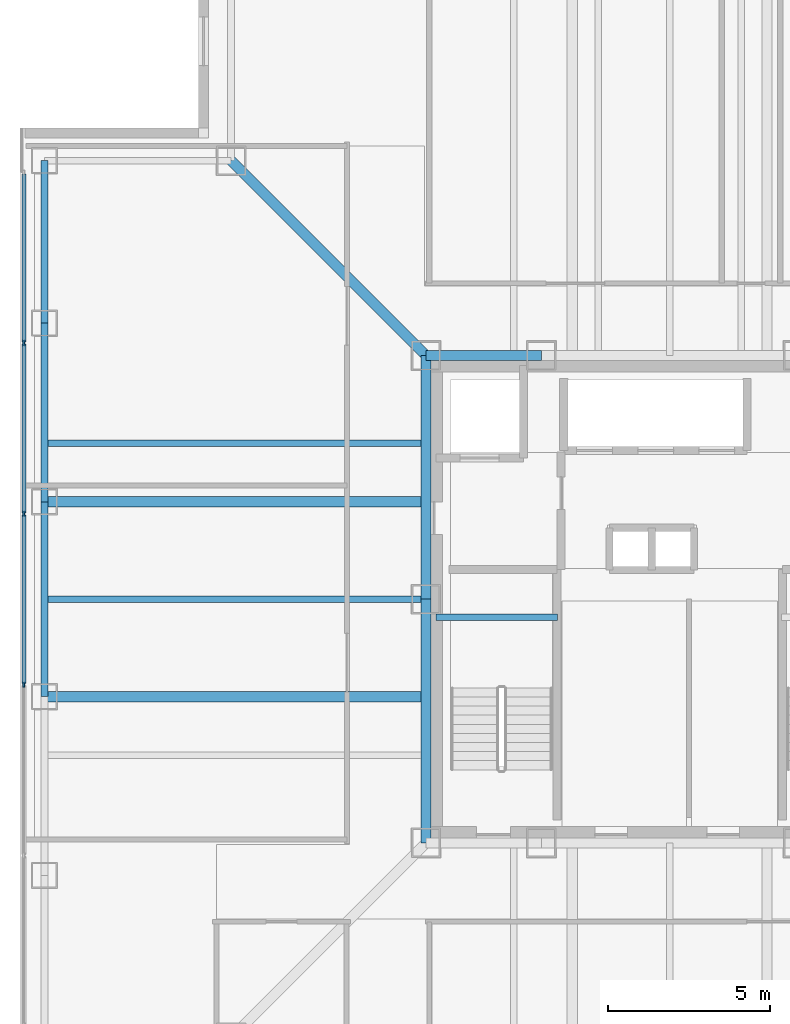
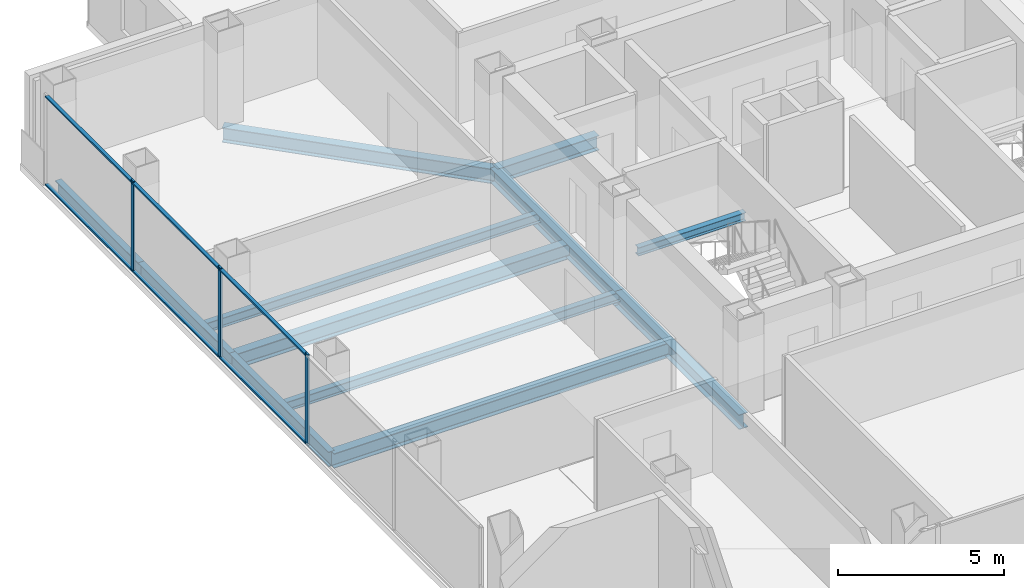
# One storey, part 4 of 17: 12 beams, 9 members, 1 element without a shape of its own.
"""IFC4 building model written with IfcOpenShell, lengths in metres."""

from ifc_helpers import new_model, si_unit, direction, frame, origin, origin_2d, place, context, subcontext, project, spatial, rectangle, i_section, extrude, material, layer, layer_set, material_profile, profile_set, type_object, element, aggregate, save


model = new_model("IFC4")

# Units and contexts
model_context = context("Model", 3, precision=1e-05, world=origin(), true_north=direction((0.0, 1.0)))
body_context = subcontext(model_context, "Body", "Model", "MODEL_VIEW")
ifc_project = project(units=[si_unit("LENGTHUNIT", "METRE"), si_unit("AREAUNIT", "SQUARE_METRE"), si_unit("VOLUMEUNIT", "CUBIC_METRE"), si_unit("PLANEANGLEUNIT", "RADIAN"), si_unit("MASSUNIT", "GRAM", prefix="KILO")], contexts=[model_context])

# Site, building, storey
site_placement = place(None, origin())
site = spatial("IfcSite", under=ifc_project, at=site_placement, CompositionType="ELEMENT")
building_placement = place(site_placement, origin())
building = spatial("IfcBuilding", under=site, at=building_placement, Name="Trevonay Congress Spire", CompositionType="ELEMENT")
storey_placement = place(building_placement, frame((0.0, 0.0, 187.800048828125)))
storey = spatial("IfcBuildingStorey", under=building, at=storey_placement, Name="L48", CompositionType="ELEMENT", Elevation=187.800048828125)

# Beams
ifc_material_1 = material(Name="Steel ASTM A572 Grade 50", Category="steel")
ifc_material_profile_1 = material_profile(ifc_material_1, i_section(OverallWidth=0.31201171875, OverallDepth=0.54296875, WebThickness=0.0126953125, FlangeThickness=0.020263671875, FilletRadius=0.014892578125, at=origin_2d()), Name="W530x150")
ifc_profile_set_1 = profile_set([ifc_material_profile_1], Name="Steel ASTM A572 Grade 50")
beam_type_1 = type_object("IfcBeamType", Name="BM-GIRD-W530X150", PredefinedType="BEAM", material=ifc_profile_set_1)
beam_1_placement = place(storey_placement, frame((-7.5, 7.5, -0.511474609375), z_axis=(1.0, 0.0, 0.0), x_axis=(0.0, 1.0, 0.0)))
element("IfcBeam", 1, at=beam_1_placement, inside=storey, type_object=beam_type_1, Name="L48 structural beam BM-L48-CR-N1", PredefinedType="BEAM", context=body_context, shape_type="SweptSolid", body=[
    extrude(i_section(OverallWidth=0.31201171875, OverallDepth=0.54296875, WebThickness=0.0126953125, FlangeThickness=0.020263671875, FilletRadius=0.014892578125, at=origin_2d()), origin(), (0.0, 0.0, 1.0), 3.550048828125),
])
for number, where, z_axis, x_axis, name in (
    (2, (-7.5, -7.5, -0.511474609375), (0.0, 1.0, 0.0), (-1.0, 0.0, 0.0), "L48 structural beam BM-L48-CR-W1"),
    (3, (-7.5, 0.0, -0.511474609375), (0.0, 1.0, 0.0), (-1.0, 0.0, 0.0), "L48 structural beam BM-L48-CR-W2"),
):
    element("IfcBeam", number, at=place(storey_placement, frame(where, z_axis=z_axis, x_axis=x_axis)), inside=storey, type_object=beam_type_1, Name=name, PredefinedType="BEAM", context=body_context, shape_type="SweptSolid", body=[
        extrude(i_section(OverallWidth=0.31201171875, OverallDepth=0.54296875, WebThickness=0.0126953125, FlangeThickness=0.020263671875, FilletRadius=0.014892578125, at=origin_2d()), origin(), (0.0, 0.0, 1.0), 7.5),
    ])
beam_2_placement = place(storey_placement, frame((-7.5, 7.5, -0.511474609375), z_axis=(-0.707106781187, 0.707106781187, 0.0), x_axis=(-0.707106781187, -0.707106781187, 0.0)))
element("IfcBeam", 4, at=beam_2_placement, inside=storey, type_object=beam_type_1, Name="L48 structural beam BM-L48-CDNW", PredefinedType="BEAM", context=body_context, shape_type="SweptSolid", body=[
    extrude(i_section(OverallWidth=0.31201171875, OverallDepth=0.54296875, WebThickness=0.0126953125, FlangeThickness=0.020263671875, FilletRadius=0.014892578125, at=origin_2d()), origin(), (0.0, 0.0, 1.0), 8.4853515625),
])
for number, where, z_axis, x_axis, name in (
    (5, (-7.5, -3.0, -0.511474609375), (-1.0, 0.0, 0.0), (0.0, -1.0, 0.0), "L48 structural beam BM-L48-GW-M"),
    (6, (-7.5, 3.0, -0.511474609375), (-1.0, 0.0, 0.0), (0.0, -1.0, 0.0), "L48 structural beam BM-L48-GW-P"),
):
    element("IfcBeam", number, at=place(storey_placement, frame(where, z_axis=z_axis, x_axis=x_axis)), inside=storey, type_object=beam_type_1, Name=name, PredefinedType="BEAM", context=body_context, shape_type="SweptSolid", body=[
        extrude(i_section(OverallWidth=0.31201171875, OverallDepth=0.54296875, WebThickness=0.0126953125, FlangeThickness=0.020263671875, FilletRadius=0.014892578125, at=origin_2d()), origin(), (0.0, 0.0, 1.0), 11.75),
    ])
ifc_material_profile_2 = material_profile(ifc_material_1, i_section(OverallWidth=0.2119140625, OverallDepth=0.5439453125, WebThickness=0.01318359375, FlangeThickness=0.021240234375, FilletRadius=0.014892578125, at=origin_2d()), Name="W530x123")
ifc_profile_set_2 = profile_set([ifc_material_profile_2], Name="Steel ASTM A572 Grade 50")
beam_type_2 = type_object("IfcBeamType", Name="BM-RING-W530X123", PredefinedType="BEAM", material=ifc_profile_set_2)
beam_3_placement = place(storey_placement, frame((-19.25, -3.0, -0.511962890625), z_axis=(0.0, 1.0, 0.0), x_axis=(-1.0, 0.0, 0.0)))
element("IfcBeam", 7, at=beam_3_placement, inside=storey, type_object=beam_type_2, Name="L48 structural beam BM-L48-PW3", PredefinedType="BEAM", context=body_context, shape_type="SweptSolid", body=[
    extrude(i_section(OverallWidth=0.2119140625, OverallDepth=0.5439453125, WebThickness=0.01318359375, FlangeThickness=0.021240234375, FilletRadius=0.014892578125, at=origin_2d()), origin(), (0.0, 0.0, 1.0), 6.0),
])
beam_4_placement = place(storey_placement, frame((-19.25, 3.0, -0.511962890625), z_axis=(0.0, 1.0, 0.0), x_axis=(-1.0, 0.0, 0.0)))
element("IfcBeam", 8, at=beam_4_placement, inside=storey, type_object=beam_type_2, Name="L48 structural beam BM-L48-PW4", PredefinedType="BEAM", context=body_context, shape_type="SweptSolid", body=[
    extrude(i_section(OverallWidth=0.2119140625, OverallDepth=0.5439453125, WebThickness=0.01318359375, FlangeThickness=0.021240234375, FilletRadius=0.014892578125, at=origin_2d()), origin(), (0.0, 0.0, 1.0), 5.5),
])
beam_5_placement = place(storey_placement, frame((-19.25, 8.5, -0.511962890625), z_axis=(0.0, 1.0, 0.0), x_axis=(-1.0, 0.0, 0.0)))
element("IfcBeam", 9, at=beam_5_placement, inside=storey, type_object=beam_type_2, Name="L48 structural beam BM-L48-PW5", PredefinedType="BEAM", context=body_context, shape_type="SweptSolid", body=[
    extrude(i_section(OverallWidth=0.2119140625, OverallDepth=0.5439453125, WebThickness=0.01318359375, FlangeThickness=0.021240234375, FilletRadius=0.014892578125, at=origin_2d()), origin(), (0.0, 0.0, 1.0), 5.0),
])

# Curtain wall, members
ifc_material_2 = material(Name="Pale Anodised Aluminium EN AW-6063-T6", Category="aluminium")
ifc_layer = layer(ifc_material_2, 0.169921875, Name="Pale Anodised Aluminium EN AW-6063-T6")
ifc_layer_set = layer_set([ifc_layer], Name="Pale Anodised Aluminium EN AW-6063-T6")
curtain_wall_type = type_object("IfcCurtainWallType", Name="CW-SYS04-CORP-PALE-METAL", PredefinedType="NOTDEFINED", material=ifc_layer_set)
curtain_wall_placement = place(storey_placement, origin())
curtain_wall = element("IfcCurtainWall", 10, at=curtain_wall_placement, inside=storey, type_object=curtain_wall_type, Name="L48 W unitised curtain wall", PredefinedType="NOTDEFINED")
ifc_material_profile_3 = material_profile(ifc_material_2, rectangle(XDim=0.06005859375, YDim=0.159912109375, at=origin_2d()), Name="CW-MULLION-160-ALUMINIUM")
ifc_profile_set_3 = profile_set([ifc_material_profile_3], Name="Pale Anodised Aluminium EN AW-6063-T6")
member_type_1 = type_object("IfcMemberType", Name="CW-MULLION-160-ALUMINIUM", PredefinedType="MULLION", material=ifc_profile_set_3)
member_1_placement = place(storey_placement, frame((-19.8798828125, -2.6298828125, 0.0), z_axis=(0.0, 0.0, 1.0), x_axis=(-1.0, 0.0, 0.0)))
member_1 = element("IfcMember", 11, at=member_1_placement, type_object=member_type_1, Name="CW04 mullion 3", PredefinedType="MULLION", context=body_context, shape_type="SweptSolid", body=[
    extrude(rectangle(XDim=0.06005859375, YDim=0.159912109375, at=origin_2d()), origin(), (0.0, 0.0, 1.0), 3.35986328125),
])
member_2_placement = place(storey_placement, frame((-19.8798828125, 2.6298828125, 0.0), z_axis=(0.0, 0.0, 1.0), x_axis=(-1.0, 0.0, 0.0)))
member_2 = element("IfcMember", 12, at=member_2_placement, type_object=member_type_1, Name="CW04 mullion 4", PredefinedType="MULLION", context=body_context, shape_type="SweptSolid", body=[
    extrude(rectangle(XDim=0.06005859375, YDim=0.159912109375, at=origin_2d()), origin(), (0.0, 0.0, 1.0), 3.35986328125),
])
member_3_placement = place(storey_placement, frame((-19.8798828125, 7.889892578125, 0.0), z_axis=(0.0, 0.0, 1.0), x_axis=(-1.0, 0.0, 0.0)))
member_3 = element("IfcMember", 13, at=member_3_placement, type_object=member_type_1, Name="CW04 mullion 5", PredefinedType="MULLION", context=body_context, shape_type="SweptSolid", body=[
    extrude(rectangle(XDim=0.06005859375, YDim=0.159912109375, at=origin_2d()), origin(), (0.0, 0.0, 1.0), 3.35986328125),
])
ifc_material_profile_4 = material_profile(ifc_material_2, rectangle(XDim=0.1201171875, YDim=0.06005859375, at=origin_2d()), Name="CW-TRANSOM-120-ALUMINIUM")
ifc_profile_set_4 = profile_set([ifc_material_profile_4], Name="Pale Anodised Aluminium EN AW-6063-T6")
member_type_2 = type_object("IfcMemberType", Name="CW-TRANSOM-120-ALUMINIUM", PredefinedType="USERDEFINED", material=ifc_profile_set_4)
member_4_placement = place(storey_placement, frame((-19.8798828125, -2.60009765625, 0.06005859375), z_axis=(0.0, 1.0, 0.0), x_axis=(-1.0, 0.0, 0.0)))
member_4 = element("IfcMember", 14, at=member_4_placement, type_object=member_type_2, Name="CW04 transom 3.1", ObjectType="TRANSOM", PredefinedType="USERDEFINED", context=body_context, shape_type="SweptSolid", body=[
    extrude(rectangle(XDim=0.1201171875, YDim=0.06005859375, at=origin_2d()), origin(), (0.0, 0.0, 1.0), 5.2001953125),
])
member_5_placement = place(storey_placement, frame((-19.8798828125, -2.60009765625, 3.300048828125), z_axis=(0.0, 1.0, 0.0), x_axis=(-1.0, 0.0, 0.0)))
member_5 = element("IfcMember", 15, at=member_5_placement, type_object=member_type_2, Name="CW04 transom 3.2", ObjectType="TRANSOM", PredefinedType="USERDEFINED", context=body_context, shape_type="SweptSolid", body=[
    extrude(rectangle(XDim=0.1201171875, YDim=0.06005859375, at=origin_2d()), origin(), (0.0, 0.0, 1.0), 5.2001953125),
])
member_6_placement = place(storey_placement, frame((-19.8798828125, 2.659912109375, 0.06005859375), z_axis=(0.0, 1.0, 0.0), x_axis=(-1.0, 0.0, 0.0)))
member_6 = element("IfcMember", 16, at=member_6_placement, type_object=member_type_2, Name="CW04 transom 4.1", ObjectType="TRANSOM", PredefinedType="USERDEFINED", context=body_context, shape_type="SweptSolid", body=[
    extrude(rectangle(XDim=0.1201171875, YDim=0.06005859375, at=origin_2d()), origin(), (0.0, 0.0, 1.0), 5.2001953125),
])
member_7_placement = place(storey_placement, frame((-19.8798828125, 2.659912109375, 3.300048828125), z_axis=(0.0, 1.0, 0.0), x_axis=(-1.0, 0.0, 0.0)))
member_7 = element("IfcMember", 17, at=member_7_placement, type_object=member_type_2, Name="CW04 transom 4.2", ObjectType="TRANSOM", PredefinedType="USERDEFINED", context=body_context, shape_type="SweptSolid", body=[
    extrude(rectangle(XDim=0.1201171875, YDim=0.06005859375, at=origin_2d()), origin(), (0.0, 0.0, 1.0), 5.2001953125),
])
member_8_placement = place(storey_placement, frame((-19.8798828125, 7.919921875, 0.06005859375), z_axis=(0.0, 1.0, 0.0), x_axis=(-1.0, 0.0, 0.0)))
member_8 = element("IfcMember", 18, at=member_8_placement, type_object=member_type_2, Name="CW04 transom 5.1", ObjectType="TRANSOM", PredefinedType="USERDEFINED", context=body_context, shape_type="SweptSolid", body=[
    extrude(rectangle(XDim=0.1201171875, YDim=0.06005859375, at=origin_2d()), origin(), (0.0, 0.0, 1.0), 5.170166015625),
])
member_9_placement = place(storey_placement, frame((-19.8798828125, 7.919921875, 3.300048828125), z_axis=(0.0, 1.0, 0.0), x_axis=(-1.0, 0.0, 0.0)))
member_9 = element("IfcMember", 19, at=member_9_placement, type_object=member_type_2, Name="CW04 transom 5.2", ObjectType="TRANSOM", PredefinedType="USERDEFINED", context=body_context, shape_type="SweptSolid", body=[
    extrude(rectangle(XDim=0.1201171875, YDim=0.06005859375, at=origin_2d()), origin(), (0.0, 0.0, 1.0), 5.170166015625),
])
aggregate(curtain_wall, [member_1, member_2, member_3, member_4, member_5, member_6, member_7, member_8, member_9])

# Beams
ifc_material_profile_5 = material_profile(ifc_material_1, i_section(OverallWidth=0.205078125, OverallDepth=0.35400390625, WebThickness=0.009521484375, FlangeThickness=0.016845703125, FilletRadius=0.011962890625, at=origin_2d()), Name="W360x79")
ifc_profile_set_5 = profile_set([ifc_material_profile_5], Name="Steel ASTM A572 Grade 50")
beam_type_3 = type_object("IfcBeamType", Name="JS-COMP-W360X79", PredefinedType="JOIST", material=ifc_profile_set_5)
for number, where, z_axis, x_axis, name in (
    (20, (-19.25, 0.0, -0.4169921875), (1.0, 0.0, 0.0), (0.0, 1.0, 0.0), "L48 structural beam JS-L48-EW-W2"),
    (21, (-19.25, 4.800048828125, -0.4169921875), (1.0, 0.0, 0.0), (0.0, 1.0, 0.0), "L48 structural beam JS-L48-EW-W3"),
):
    element("IfcBeam", number, at=place(storey_placement, frame(where, z_axis=z_axis, x_axis=x_axis)), inside=storey, type_object=beam_type_3, Name=name, PredefinedType="JOIST", context=body_context, shape_type="SweptSolid", body=[
        extrude(i_section(OverallWidth=0.205078125, OverallDepth=0.35400390625, WebThickness=0.009521484375, FlangeThickness=0.016845703125, FilletRadius=0.011962890625, at=origin_2d()), origin(), (0.0, 0.0, 1.0), 11.75),
    ])
ifc_material_profile_6 = material_profile(ifc_material_1, i_section(OverallWidth=0.2041015625, OverallDepth=0.305908203125, WebThickness=0.008544921875, FlangeThickness=0.0146484375, FilletRadius=0.010986328125, at=origin_2d()), Name="W310x67")
ifc_profile_set_6 = profile_set([ifc_material_profile_6], Name="Steel ASTM A572 Grade 50")
beam_type_4 = type_object("IfcBeamType", Name="LN-CORE-W310X67", PredefinedType="LINTEL", material=ifc_profile_set_6)
beam_6_placement = place(storey_placement, frame((-7.199951171875, -0.550048828125, 1.447021484375), z_axis=(1.0, 0.0, 0.0), x_axis=(0.0, 1.0, 0.0)))
element("IfcBeam", 22, at=beam_6_placement, inside=storey, type_object=beam_type_4, Name="L48 structural beam BM-L48-HL-ST1", PredefinedType="LINTEL", context=body_context, shape_type="SweptSolid", body=[
    extrude(i_section(OverallWidth=0.2041015625, OverallDepth=0.305908203125, WebThickness=0.008544921875, FlangeThickness=0.0146484375, FilletRadius=0.010986328125, at=origin_2d()), origin(), (0.0, 0.0, 1.0), 3.75),
])

save(model, "model.ifc")
